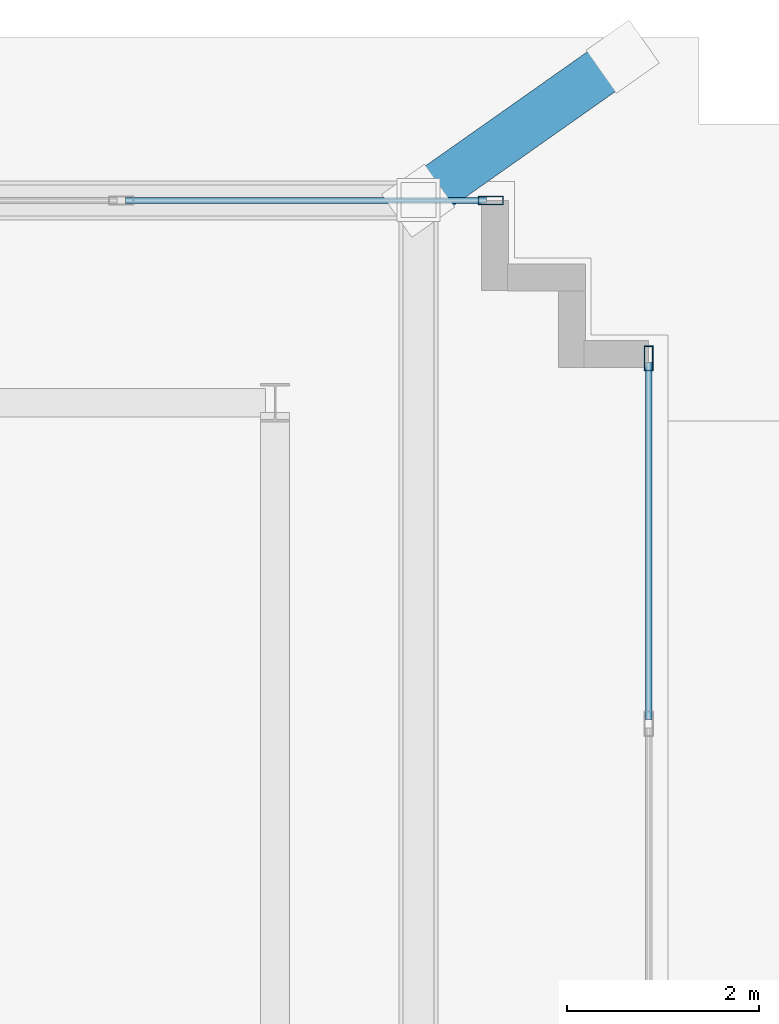
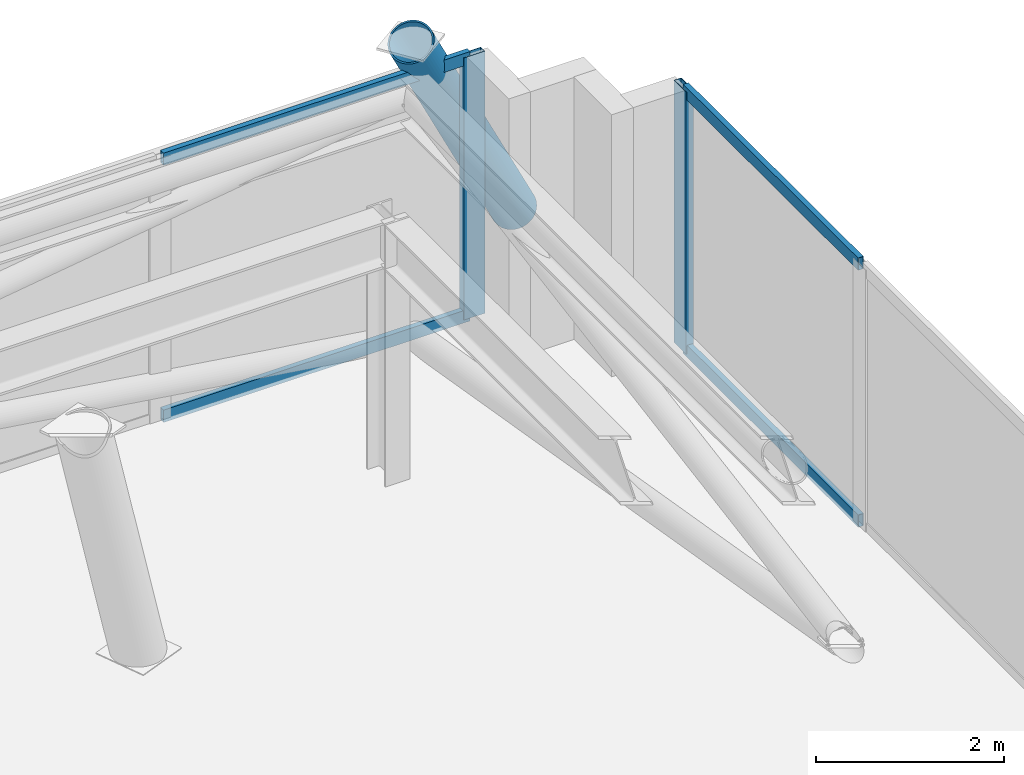
# One storey, part 8 of 13: 7 members, 2 elements without a shape of their own.
"""IFC4 building model written with IfcOpenShell, lengths in metres."""

from ifc_helpers import new_model, si_unit, direction, frame, origin, origin_2d, place, context, subcontext, project, spatial, hollow_rectangle, hollow_circle, extrude, material, layer, layer_set, material_profile, profile_set, type_object, element, aggregate, save


model = new_model("IFC4")

# Units and contexts
model_context = context("Model", 3, precision=1e-05, world=origin(), true_north=direction((0.0, 1.0)))
body_context = subcontext(model_context, "Body", "Model", "MODEL_VIEW")
ifc_project = project(units=[si_unit("LENGTHUNIT", "METRE"), si_unit("AREAUNIT", "SQUARE_METRE"), si_unit("VOLUMEUNIT", "CUBIC_METRE"), si_unit("PLANEANGLEUNIT", "RADIAN"), si_unit("MASSUNIT", "GRAM", prefix="KILO")], contexts=[model_context])

# Site, building, storey
site_placement = place(None, origin())
site = spatial("IfcSite", under=ifc_project, at=site_placement, CompositionType="ELEMENT")
building_placement = place(site_placement, origin())
building = spatial("IfcBuilding", under=site, at=building_placement, Name="Qobustan Lattice House", CompositionType="ELEMENT")
storey_placement = place(building_placement, frame((0.0, 0.0, 285.39990234375)))
storey = spatial("IfcBuildingStorey", under=building, at=storey_placement, Name="L80", CompositionType="ELEMENT", Elevation=285.39990234375)

# Curtain wall, member
ifc_material_1 = material(Name="Anodised aluminium and low-E glazing", Category="aluminium")
ifc_layer = layer(ifc_material_1, 0.219970703125)
ifc_layer_set = layer_set([ifc_layer], Name="Anodised aluminium and low-E glazing")
curtain_wall_type = type_object("IfcCurtainWallType", Name="CW-CRN-01", PredefinedType="USERDEFINED", material=ifc_layer_set)
curtain_wall_1_placement = place(storey_placement, origin())
curtain_wall_1 = element("IfcCurtainWall", 1, at=curtain_wall_1_placement, inside=storey, type_object=curtain_wall_type, Name="L80 glass-point crown faceted curtain wall 10", ObjectType="CURTAIN WALL", PredefinedType="USERDEFINED")
ifc_material_2 = material(Name="Anodised aluminium EN AW-6063 T6", Category="aluminium")
ifc_material_profile_1 = material_profile(ifc_material_2, hollow_rectangle(XDim=0.090087890625, YDim=0.260009765625, WallThickness=0.006103515625, at=origin_2d()), Name="CWM-CROWN-260x90")
ifc_profile_set_1 = profile_set([ifc_material_profile_1], Name="Anodised aluminium EN AW-6063 T6")
member_type_1 = type_object("IfcMemberType", Name="CWM-CRN-260", PredefinedType="MULLION", material=ifc_profile_set_1)
member_1_placement = place(storey_placement, frame((11.448486328125, 7.70654296875, 0.0), z_axis=(0.0, 0.0, 1.0), x_axis=(0.0, 1.0, 0.0)))
member_1 = element("IfcMember", 2, at=member_1_placement, type_object=member_type_1, Name="CW-CR mullion 7", PredefinedType="MULLION", context=body_context, shape_type="SweptSolid", body=[
    extrude(hollow_rectangle(XDim=0.090087890625, YDim=0.260009765625, WallThickness=0.006103515625, at=origin_2d()), origin(), (0.0, 0.0, 1.0), 3.400146484375),
])

curtain_wall_2_placement = place(storey_placement, origin())
curtain_wall_2 = element("IfcCurtainWall", 3, at=curtain_wall_2_placement, inside=storey, type_object=curtain_wall_type, Name="L80 glass-point crown faceted curtain wall 15", ObjectType="CURTAIN WALL", PredefinedType="USERDEFINED")
member_2_placement = place(storey_placement, frame((13.093505859375, 6.0615234375, 0.0), z_axis=(0.0, 0.0, 1.0), x_axis=(1.0, 0.0, 0.0)))
member_2 = element("IfcMember", 4, at=member_2_placement, type_object=member_type_1, Name="CW-CR mullion 1", PredefinedType="MULLION", context=body_context, shape_type="SweptSolid", body=[
    extrude(hollow_rectangle(XDim=0.090087890625, YDim=0.260009765625, WallThickness=0.006103515625, at=origin_2d()), origin(), (0.0, 0.0, 1.0), 3.400146484375),
])

# Member
ifc_material_3 = material(Name="Anodised aluminium EN AW-6063 T6", Category="aluminium")
ifc_material_profile_2 = material_profile(ifc_material_3, hollow_rectangle(XDim=0.06494140625, YDim=0.159912109375, WallThickness=0.00390625, at=origin_2d()), Name="CWT-160x65")
ifc_profile_set_2 = profile_set([ifc_material_profile_2], Name="Anodised aluminium EN AW-6063 T6")
member_type_2 = type_object("IfcMemberType", Name="CWT-HOR-160", PredefinedType="USERDEFINED", material=ifc_profile_set_2)
member_3_placement = place(storey_placement, frame((7.640625, 7.70654296875, 0.03271484375), z_axis=(1.0, 0.0, 0.0), x_axis=(0.0, 1.0, 0.0)))
member_3 = element("IfcMember", 5, at=member_3_placement, type_object=member_type_2, Name="CW-CR transom 6.1", ObjectType="TRANSOM", PredefinedType="USERDEFINED", context=body_context, shape_type="SweptSolid", body=[
    extrude(hollow_rectangle(XDim=0.06494140625, YDim=0.159912109375, WallThickness=0.00390625, at=origin_2d()), origin(), (0.0, 0.0, 1.0), 3.762939453125),
])

member_4_placement = place(storey_placement, frame((7.640625, 7.70654296875, 3.36767578125), z_axis=(1.0, 0.0, 0.0), x_axis=(0.0, 1.0, 0.0)))
member_4 = element("IfcMember", 6, at=member_4_placement, type_object=member_type_2, Name="CW-CR transom 6.2", ObjectType="TRANSOM", PredefinedType="USERDEFINED", context=body_context, shape_type="SweptSolid", body=[
    extrude(hollow_rectangle(XDim=0.06494140625, YDim=0.159912109375, WallThickness=0.00390625, at=origin_2d()), origin(), (0.0, 0.0, 1.0), 3.762939453125),
])

aggregate(curtain_wall_1, [member_1, member_3, member_4])

member_5_placement = place(storey_placement, frame((13.093505859375, 6.0166015625, 0.03271484375), z_axis=(0.0, -1.0, 0.0), x_axis=(1.0, 0.0, 0.0)))
member_5 = element("IfcMember", 7, at=member_5_placement, type_object=member_type_2, Name="CW-CR transom 1.1", ObjectType="TRANSOM", PredefinedType="USERDEFINED", context=body_context, shape_type="SweptSolid", body=[
    extrude(hollow_rectangle(XDim=0.06494140625, YDim=0.159912109375, WallThickness=0.00390625, at=origin_2d()), origin(), (0.0, 0.0, 1.0), 3.71826171875),
])

member_6_placement = place(storey_placement, frame((13.093505859375, 6.0166015625, 3.36767578125), z_axis=(0.0, -1.0, 0.0), x_axis=(1.0, 0.0, 0.0)))
member_6 = element("IfcMember", 8, at=member_6_placement, type_object=member_type_2, Name="CW-CR transom 1.2", ObjectType="TRANSOM", PredefinedType="USERDEFINED", context=body_context, shape_type="SweptSolid", body=[
    extrude(hollow_rectangle(XDim=0.06494140625, YDim=0.159912109375, WallThickness=0.00390625, at=origin_2d()), origin(), (0.0, 0.0, 1.0), 3.71826171875),
])

aggregate(curtain_wall_2, [member_2, member_5, member_6])

ifc_material_4 = material(Name="Steel S355", Category="steel")
ifc_material_profile_3 = material_profile(ifc_material_4, hollow_circle(Radius=0.25390625, WallThickness=0.02001953125, at=origin_2d()), Name="CHS508x20")
ifc_profile_set_3 = profile_set([ifc_material_profile_3], Name="Steel S355")
member_type_3 = type_object("IfcMemberType", Name="MEM-STR-CHS508", PredefinedType="STRUT", material=ifc_profile_set_3)
member_7_placement = place(storey_placement, frame((12.820068359375, 9.205078125, 0.0), z_axis=(-0.461753371927, -0.32540094109, 0.825165468892), x_axis=(0.576041902773, -0.817420165062, 0.0)))
element("IfcMember", 9, at=member_7_placement, inside=storey, type_object=member_type_3, Name="L80 crown corner raking strut 3", PredefinedType="STRUT", context=body_context, shape_type="SweptSolid", body=[
    extrude(hollow_circle(Radius=0.25390625, WallThickness=0.02001953125, at=origin_2d()), origin(), (0.0, 0.0, 1.0), 4.605224609375),
])

save(model, "model.ifc")
